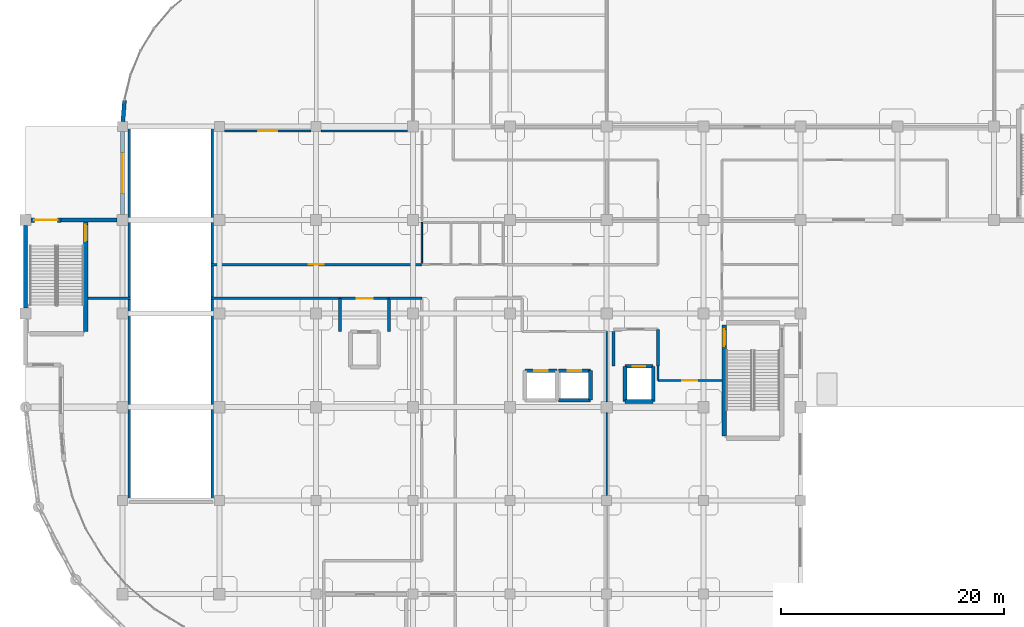
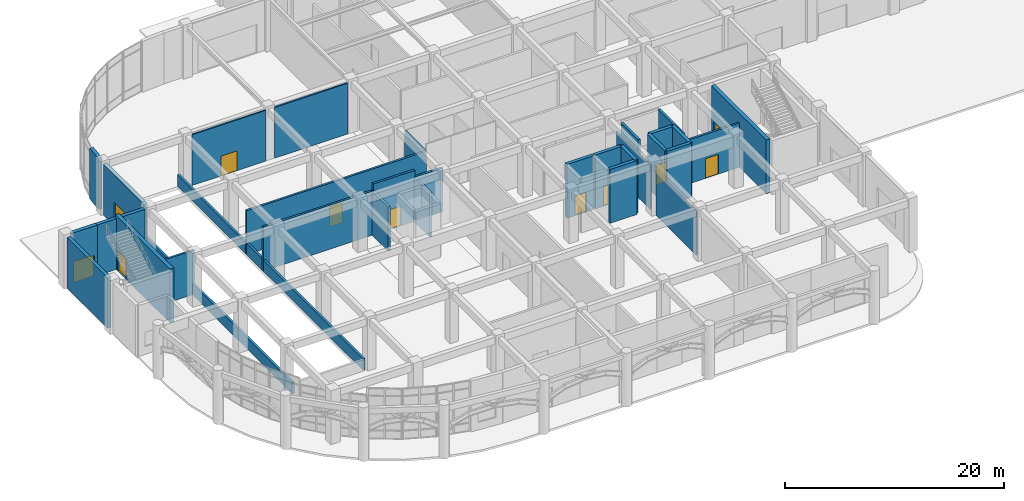
# One storey, part 61 of 82: 33 walls, 11 doors, 11 openings.
"""IFC4 building model written with IfcOpenShell, lengths in metres."""

from ifc_helpers import new_model, si_unit, derived_unit, direction, frame, frame_2d, origin, place, context, subcontext, project, spatial, rectangle, extrude, material, layer, layer_set, type_object, element, fill, save


model = new_model("IFC4")

# Units and contexts
model_context = context("Model", 3, precision=1e-05, world=origin(), true_north=direction((0.0, 1.0)))
body_context = subcontext(model_context, "Body", "Model", "MODEL_VIEW")
ifc_project = project(units=[si_unit("LENGTHUNIT", "METRE"), si_unit("AREAUNIT", "SQUARE_METRE"), si_unit("VOLUMEUNIT", "CUBIC_METRE"), si_unit("PLANEANGLEUNIT", "RADIAN"), si_unit("MASSUNIT", "GRAM", prefix="KILO"), derived_unit("THERMALTRANSMITTANCEUNIT", [(si_unit("MASSUNIT", "GRAM", prefix="KILO"), 1), (si_unit("TIMEUNIT", "SECOND"), -3), (si_unit("THERMODYNAMICTEMPERATUREUNIT", "KELVIN"), -1)])], contexts=[model_context])

# Site, building, storey
site_placement = place(None, origin())
site = spatial("IfcSite", under=ifc_project, at=site_placement, CompositionType="ELEMENT")
building_placement = place(site_placement, origin())
building = spatial("IfcBuilding", under=site, at=building_placement, Name="Qinzheling Arcade Emporium", CompositionType="ELEMENT")
storey_placement = place(building_placement, origin())
storey = spatial("IfcBuildingStorey", under=building, at=storey_placement, Name="L01", CompositionType="ELEMENT", Elevation=0.0)

# Wall, opening, door
ifc_material_1 = material(Name="Double-stud acoustic gypsum board partition")
ifc_layer_1 = layer(ifc_material_1, 0.215087890625, Name="Double-stud acoustic gypsum board partition")
ifc_layer_set_1 = layer_set([ifc_layer_1], Name="Double-stud acoustic gypsum board partition")
wall_type_1 = type_object("IfcWallType", Name="Acoustic Corridor Partition Wall 215", PredefinedType="PARTITIONING", material=ifc_layer_set_1)
wall_1_placement = place(storey_placement, frame((16.659912109375, 38.0, 0.0), z_axis=(0.0, 0.0, 1.0), x_axis=(1.0, 0.0, 0.0)))
wall_1 = element("IfcWall", 1, at=wall_1_placement, inside=storey, type_object=wall_type_1, Name="Interior Wall WL-L01-INT-0127", PredefinedType="PARTITIONING", context=body_context, shape_type="SweptSolid", body=[
    extrude(rectangle(XDim=18.940185546875, YDim=0.215087890625, at=frame_2d((9.47021484375, 0.0))), origin(), (0.0, 0.0, 1.0), 4.909912109375),
])
opening_1_placement = place(wall_1_placement, frame((8.794921875, 0.0, 0.0)))
opening_1 = element("IfcOpeningElement", 2, at=opening_1_placement, cuts=wall_1, Name="Opening FD05", PredefinedType="OPENING", context=body_context, shape_type="SweptSolid", body=[
    extrude(rectangle(XDim=1.35009765625, YDim=2.199951171875, at=frame_2d((0.675048828125, 1.10009765625))), frame((0.0, 0.11767578125, 0.0), z_axis=(0.0, -1.0, 0.0), x_axis=(1.0, 0.0, 0.0)), (0.0, 0.0, 1.0), 0.235107421875),
])
ifc_material_2 = material(Name="Class B fire-rated stainless-clad door")
door_type_1 = type_object("IfcDoorType", Name="Kitchen Fire-Rated Service Door 1350x2200", OperationType="NOTDEFINED", PredefinedType="DOOR", material=ifc_material_2)
door_1_placement = place(opening_1_placement, origin())
door_1 = element("IfcDoor", 3, at=door_1_placement, inside=storey, type_object=door_type_1, Name="FD05 Interior Door DR-L01-INT-0039", OperationType="SINGLE_SWING_RIGHT", OverallHeight=2.199951171875, OverallWidth=1.35009765625, PredefinedType="DOOR", context=body_context, shape_type="SweptSolid", body=[
    extrude(rectangle(XDim=1.35009765625, YDim=2.199951171875, at=frame_2d((0.675048828125, 1.10009765625))), frame((0.0, 0.02490234375, 0.0), z_axis=(0.0, -1.0, 0.0), x_axis=(1.0, 0.0, 0.0)), (0.0, 0.0, 1.0), 0.050048828125),
])
fill(opening_1, door_1)

# Walls
wall_2_placement = place(storey_placement, frame((28.25, 34.97998046875, 0.0), z_axis=(0.0, 0.0, 1.0), x_axis=(-1.0, 0.0, 0.0)))
element("IfcWall", 4, at=wall_2_placement, inside=storey, type_object=wall_type_1, Name="Interior Wall WL-L01-INT-0128", PredefinedType="PARTITIONING", context=body_context, shape_type="SweptSolid", body=[
    extrude(rectangle(XDim=11.590087890625, YDim=0.215087890625, at=frame_2d((5.794921875, 0.0))), origin(), (0.0, 0.0, 1.0), 4.909912109375),
])
wall_3_placement = place(storey_placement, frame((35.60009765625, 34.97998046875, 0.0), z_axis=(0.0, 0.0, 1.0), x_axis=(-1.0, 0.0, 0.0)))
element("IfcWall", 5, at=wall_3_placement, inside=storey, type_object=wall_type_1, Name="Interior Wall WL-L01-INT-0132", PredefinedType="PARTITIONING", context=body_context, shape_type="SweptSolid", body=[
    extrude(rectangle(XDim=2.9501953125, YDim=0.215087890625, at=frame_2d((1.47509765625, 0.0))), origin(), (0.0, 0.0, 1.0), 4.909912109375),
])

# Wall, opening, door
wall_4_placement = place(storey_placement, frame((62.544921875, 27.60009765625, 0.0), z_axis=(0.0, 0.0, 1.0), x_axis=(-1.0, 0.0, 0.0)))
wall_4 = element("IfcWall", 6, at=wall_4_placement, inside=storey, type_object=wall_type_1, Name="Interior Wall WL-L01-INT-0137", PredefinedType="PARTITIONING", context=body_context, shape_type="SweptSolid", body=[
    extrude(rectangle(XDim=5.744873046875, YDim=0.215087890625, at=frame_2d((2.87255859375, 0.0))), origin(), (0.0, 0.0, 1.0), 4.909912109375),
])
opening_2_placement = place(wall_4_placement, frame((2.197998046875, 0.0, 0.0)))
opening_2 = element("IfcOpeningElement", 7, at=opening_2_placement, cuts=wall_4, Name="Opening FD05", PredefinedType="OPENING", context=body_context, shape_type="SweptSolid", body=[
    extrude(rectangle(XDim=1.35009765625, YDim=2.199951171875, at=frame_2d((0.675048828125, 1.10009765625))), frame((0.0, 0.11767578125, 0.0), z_axis=(0.0, -1.0, 0.0), x_axis=(1.0, 0.0, 0.0)), (0.0, 0.0, 1.0), 0.235107421875),
])
door_2_placement = place(opening_2_placement, origin())
door_2 = element("IfcDoor", 8, at=door_2_placement, inside=storey, type_object=door_type_1, Name="FD05 Interior Door DR-L01-INT-0042", OperationType="SINGLE_SWING_LEFT", OverallHeight=2.199951171875, OverallWidth=1.35009765625, PredefinedType="DOOR", context=body_context, shape_type="SweptSolid", body=[
    extrude(rectangle(XDim=1.35009765625, YDim=2.199951171875, at=frame_2d((0.675048828125, 1.10009765625))), frame((0.0, 0.02490234375, 0.0), z_axis=(0.0, -1.0, 0.0), x_axis=(1.0, 0.0, 0.0)), (0.0, 0.0, 1.0), 0.050048828125),
])
fill(opening_2, door_2)

# Walls
wall_5_placement = place(storey_placement, frame((56.800048828125, 27.60009765625, 0.0), z_axis=(0.0, 0.0, 1.0), x_axis=(0.0, 1.0, 0.0)))
element("IfcWall", 9, at=wall_5_placement, inside=storey, type_object=wall_type_1, Name="Interior Wall WL-L01-INT-0138", PredefinedType="PARTITIONING", context=body_context, shape_type="SweptSolid", body=[
    extrude(rectangle(XDim=1.27978515625, YDim=0.215087890625, at=frame_2d((0.639892578125, 0.0))), origin(), (0.0, 0.0, 1.0), 5.659912109375),
])
wall_6_placement = place(storey_placement, frame((9.43994140625, 34.97998046875, 0.0), z_axis=(0.0, 0.0, 1.0), x_axis=(-1.0, 0.0, 0.0)))
element("IfcWall", 10, at=wall_6_placement, inside=storey, type_object=wall_type_1, Name="Interior Wall WL-L01-INT-0218", PredefinedType="PARTITIONING", context=body_context, shape_type="SweptSolid", body=[
    extrude(rectangle(XDim=3.844970703125, YDim=0.215087890625, at=frame_2d((1.92236328125, 0.0))), origin(), (0.0, 0.0, 1.0), 4.909912109375),
])
ifc_material_3 = material(Name="Lightweight atelier partition")
ifc_layer_2 = layer(ifc_material_3, 0.14990234375, Name="Lightweight atelier partition")
ifc_layer_set_2 = layer_set([ifc_layer_2], Name="Lightweight atelier partition")
wall_type_2 = type_object("IfcWallType", Name="Atelier Partition Wall 150", PredefinedType="PARTITIONING", material=ifc_layer_set_2)
wall_7_placement = place(storey_placement, frame((34.2900390625, 50.0, 0.0), z_axis=(0.0, 0.0, 1.0), x_axis=(-1.0, 0.0, 0.0)))
element("IfcWall", 11, at=wall_7_placement, inside=storey, type_object=wall_type_2, Name="Interior Wall WL-L01-INT-0112", PredefinedType="PARTITIONING", context=body_context, shape_type="SweptSolid", body=[
    extrude(rectangle(XDim=7.72998046875, YDim=0.14990234375, at=frame_2d((3.864990234375, 0.0))), origin(), (0.0, 0.0, 1.0), 5.659912109375),
])

# Wall, opening, door
wall_8_placement = place(storey_placement, frame((25.639892578125, 50.0, 0.0), z_axis=(0.0, 0.0, 1.0), x_axis=(-1.0, 0.0, 0.0)))
wall_8 = element("IfcWall", 12, at=wall_8_placement, inside=storey, type_object=wall_type_2, Name="Interior Wall WL-L01-INT-0113", PredefinedType="PARTITIONING", context=body_context, shape_type="SweptSolid", body=[
    extrude(rectangle(XDim=7.77978515625, YDim=0.14990234375, at=frame_2d((3.889892578125, 0.0))), origin(), (0.0, 0.0, 1.0), 5.659912109375),
])
opening_3_placement = place(wall_8_placement, frame((3.0400390625, 0.0, 0.0)))
opening_3 = element("IfcOpeningElement", 13, at=opening_3_placement, cuts=wall_8, Name="Opening D14", PredefinedType="OPENING", context=body_context, shape_type="SweptSolid", body=[
    extrude(rectangle(XDim=1.699951171875, YDim=2.199951171875, at=frame_2d((0.85009765625, 1.10009765625))), frame((0.0, 0.0849609375, 0.0), z_axis=(0.0, -1.0, 0.0), x_axis=(1.0, 0.0, 0.0)), (0.0, 0.0, 1.0), 0.169921875),
])
ifc_material_4 = material(Name="Powder-coated steel utility door", Category="steel")
door_type_2 = type_object("IfcDoorType", Name="Bicycle Store Double Door 1700x2200", OperationType="DOUBLE_DOOR_SINGLE_SWING", PredefinedType="DOOR", material=ifc_material_4)
door_3_placement = place(opening_3_placement, origin())
door_3 = element("IfcDoor", 14, at=door_3_placement, inside=storey, type_object=door_type_2, Name="D14 Interior Door DR-L01-INT-0075", OperationType="DOUBLE_DOOR_SINGLE_SWING", OverallHeight=2.199951171875, OverallWidth=1.699951171875, PredefinedType="DOOR", context=body_context, shape_type="SweptSolid", body=[
    extrude(rectangle(XDim=1.699951171875, YDim=2.199951171875, at=frame_2d((0.85009765625, 1.10009765625))), frame((0.0, 0.02490234375, 0.0), z_axis=(0.0, -1.0, 0.0), x_axis=(1.0, 0.0, 0.0)), (0.0, 0.0, 1.0), 0.050048828125),
])
fill(opening_3, door_3)

# Walls
ifc_material_5 = material(Name="Fire-rated double-stud gypsum and mineral wool wall")
ifc_layer_3 = layer(ifc_material_5, 0.2451171875, Name="Fire-rated double-stud gypsum and mineral wool wall")
ifc_layer_set_3 = layer_set([ifc_layer_3], Name="Fire-rated double-stud gypsum and mineral wool wall")
wall_type_3 = type_object("IfcWallType", Name="Firefighting Lobby Rated Wall 245", PredefinedType="STANDARD", material=ifc_layer_set_3)
wall_9_placement = place(storey_placement, frame((56.800048828125, 32.199951171875, 0.0), z_axis=(0.0, 0.0, 1.0), x_axis=(0.0, -1.0, 0.0)))
element("IfcWall", 15, at=wall_9_placement, inside=storey, type_object=wall_type_3, Name="Interior Wall WL-L01-INT-0087", PredefinedType="STANDARD", context=body_context, shape_type="SweptSolid", body=[
    extrude(rectangle(XDim=3.320068359375, YDim=0.2451171875, at=frame_2d((1.66015625, 0.0))), origin(), (0.0, 0.0, 1.0), 5.659912109375),
])
wall_10_placement = place(storey_placement, frame((52.800048828125, 28.8798828125, 0.0), z_axis=(0.0, 0.0, 1.0), x_axis=(0.0, 1.0, 0.0)))
element("IfcWall", 16, at=wall_10_placement, inside=storey, type_object=wall_type_3, Name="Interior Wall WL-L01-INT-0088", PredefinedType="STANDARD", context=body_context, shape_type="SweptSolid", body=[
    extrude(rectangle(XDim=3.1201171875, YDim=0.2451171875, at=frame_2d((1.56005859375, 0.0))), origin(), (0.0, 0.0, 1.0), 5.659912109375),
])

# Wall, opening, door
wall_11_placement = place(storey_placement, frame((28.25, 34.97998046875, 0.0), z_axis=(0.0, 0.0, 1.0), x_axis=(1.0, 0.0, 0.0)))
wall_11 = element("IfcWall", 17, at=wall_11_placement, inside=storey, type_object=wall_type_3, Name="Interior Wall WL-L01-INT-0089", PredefinedType="STANDARD", context=body_context, shape_type="SweptSolid", body=[
    extrude(rectangle(XDim=4.39990234375, YDim=0.2451171875, at=frame_2d((2.199951171875, 0.0))), origin(), (0.0, 0.0, 1.0), 5.659912109375),
])
opening_4_placement = place(wall_11_placement, frame((1.47509765625, 0.0, 0.0)))
opening_4 = element("IfcOpeningElement", 18, at=opening_4_placement, cuts=wall_11, Name="Opening FD02", PredefinedType="OPENING", context=body_context, shape_type="SweptSolid", body=[
    extrude(rectangle(XDim=1.449951171875, YDim=2.199951171875, at=frame_2d((0.72509765625, 1.10009765625))), frame((0.0, 0.132568359375, 0.0), z_axis=(0.0, -1.0, 0.0), x_axis=(1.0, 0.0, 0.0)), (0.0, 0.0, 1.0), 0.26513671875),
])
ifc_material_6 = material(Name="Class A fire-rated steel double door", Category="steel")
door_type_3 = type_object("IfcDoorType", Name="Firefighting Lobby Fire Door 1450x2200", OperationType="DOUBLE_DOOR_SINGLE_SWING", PredefinedType="DOOR", material=ifc_material_6)
door_4_placement = place(opening_4_placement, origin())
door_4 = element("IfcDoor", 19, at=door_4_placement, inside=storey, type_object=door_type_3, Name="FD02 Interior Door DR-L01-INT-0026", OperationType="DOUBLE_DOOR_SINGLE_SWING", OverallHeight=2.199951171875, OverallWidth=1.449951171875, PredefinedType="DOOR", context=body_context, shape_type="SweptSolid", body=[
    extrude(rectangle(XDim=1.449951171875, YDim=2.199951171875, at=frame_2d((0.72509765625, 1.10009765625))), frame((0.0, 0.02490234375, 0.0), z_axis=(0.0, -1.0, 0.0), x_axis=(1.0, 0.0, 0.0)), (0.0, 0.0, 1.0), 0.050048828125),
])
fill(opening_4, door_4)

# Walls
for number, where, z_axis, x_axis, name in (
    (20, (28.25, 31.97998046875, 0.0), (0.0, 0.0, 1.0), (0.0, 1.0, 0.0), "Interior Wall WL-L01-INT-0090"),
    (21, (32.64990234375, 34.97998046875, 0.0), (0.0, 0.0, 1.0), (0.0, -1.0, 0.0), "Interior Wall WL-L01-INT-0091"),
):
    element("IfcWall", number, at=place(storey_placement, frame(where, z_axis=z_axis, x_axis=x_axis)), inside=storey, type_object=wall_type_3, Name=name, PredefinedType="STANDARD", context=body_context, shape_type="SweptSolid", body=[
        extrude(rectangle(XDim=3.0, YDim=0.2451171875, at=frame_2d((1.5, 0.0))), origin(), (0.0, 0.0, 1.0), 4.909912109375),
    ])

# Wall, opening, door
ifc_material_7 = material(Name="Glazed cream terracotta on Concrete C40", Category="masonry")
ifc_layer_4 = layer(ifc_material_7, 0.3798828125, Name="Glazed cream terracotta on Concrete C40", Category="masonry")
ifc_layer_set_4 = layer_set([ifc_layer_4], Name="Glazed cream terracotta on Concrete C40")
wall_type_4 = type_object("IfcWallType", Name="Glazed Cream Terracotta Structural Wall 380", PredefinedType="STANDARD", material=ifc_layer_set_4)
wall_12_placement = place(storey_placement, frame((0.501953125, 42.0, 0.0), z_axis=(0.0, 0.0, 1.0), x_axis=(1.0, 0.0, 0.0)))
wall_12 = element("IfcWall", 22, at=wall_12_placement, inside=storey, type_object=wall_type_4, Name="Exterior Wall WL-L01-EW-0040", PredefinedType="STANDARD", context=body_context, shape_type="SweptSolid", body=[
    extrude(rectangle(XDim=2.697998046875, YDim=0.3798828125, at=frame_2d((1.34912109375, 0.0))), origin(), (0.0, 0.0, 1.0), 5.659912109375),
])
opening_5_placement = place(wall_12_placement, frame((0.2880859375, 0.0, 0.0)))
opening_5 = element("IfcOpeningElement", 23, at=opening_5_placement, cuts=wall_12, Name="Opening ED03", PredefinedType="OPENING", context=body_context, shape_type="SweptSolid", body=[
    extrude(rectangle(XDim=2.10009765625, YDim=2.35009765625, at=frame_2d((1.050048828125, 1.175048828125))), frame((0.0, 0.199951171875, 0.0), z_axis=(0.0, -1.0, 0.0), x_axis=(1.0, 0.0, 0.0)), (0.0, 0.0, 1.0), 0.39990234375),
])
ifc_material_8 = material(Name="Fire-rated steel panic exit door", Category="steel")
door_type_4 = type_object("IfcDoorType", Name="Stairwell Double Escape Door 2100x2350", OperationType="DOUBLE_DOOR_SINGLE_SWING", PredefinedType="USERDEFINED", material=ifc_material_8)
door_5_placement = place(opening_5_placement, origin())
door_5 = element("IfcDoor", 24, at=door_5_placement, inside=storey, type_object=door_type_4, Name="ED03 Exterior Door DR-L01-EXT-019", ObjectType="ESCAPE_DOOR", OperationType="DOUBLE_DOOR_SINGLE_SWING", OverallHeight=2.35009765625, OverallWidth=2.10009765625, PredefinedType="USERDEFINED", context=body_context, shape_type="SweptSolid", body=[
    extrude(rectangle(XDim=2.10009765625, YDim=2.35009765625, at=frame_2d((1.050048828125, 1.175048828125))), frame((0.0, 0.02490234375, 0.0), z_axis=(0.0, -1.0, 0.0), x_axis=(1.0, 0.0, 0.0)), (0.0, 0.0, 1.0), 0.050048828125),
])
fill(opening_5, door_5)

wall_13_placement = place(storey_placement, frame((8.699951171875, 42.501953125, 0.0), z_axis=(0.0, 0.0, 1.0), x_axis=(0.0, 1.0, 0.0)))
wall_13 = element("IfcWall", 25, at=wall_13_placement, inside=storey, type_object=wall_type_4, Name="Exterior Wall WL-L01-EW-0042", PredefinedType="STANDARD", context=body_context, shape_type="SweptSolid", body=[
    extrude(rectangle(XDim=7.446044921875, YDim=0.3798828125, at=frame_2d((3.72314453125, 0.0))), origin(), (0.0, 0.0, 1.0), 5.659912109375),
])
opening_6_placement = place(wall_13_placement, frame((1.923095703125, 0.0, 0.0)))
opening_6 = element("IfcOpeningElement", 26, at=opening_6_placement, cuts=wall_13, Name="Opening DG03", PredefinedType="OPENING", context=body_context, shape_type="SweptSolid", body=[
    extrude(rectangle(XDim=3.60009765625, YDim=2.60009765625, at=frame_2d((1.800048828125, 1.300048828125))), frame((0.0, 0.199951171875, 0.0), z_axis=(0.0, -1.0, 0.0), x_axis=(1.0, 0.0, 0.0)), (0.0, 0.0, 1.0), 0.39990234375),
])
ifc_material_9 = material(Name="Galvanised steel car park roller shutter", Category="steel")
door_type_5 = type_object("IfcDoorType", Name="Car Park Vehicle Entrance Roller Shutter 3600x2600", OperationType="ROLLINGUP", PredefinedType="GATE", material=ifc_material_9)
door_6_placement = place(opening_6_placement, origin())
door_6 = element("IfcDoor", 27, at=door_6_placement, inside=storey, type_object=door_type_5, Name="DG03 Exterior Door DR-L01-EXT-020", OperationType="ROLLINGUP", OverallHeight=2.60009765625, OverallWidth=3.60009765625, PredefinedType="GATE", context=body_context, shape_type="SweptSolid", body=[
    extrude(rectangle(XDim=3.60009765625, YDim=2.60009765625, at=frame_2d((1.800048828125, 1.300048828125))), frame((0.0, 0.02490234375, 0.0), z_axis=(0.0, -1.0, 0.0), x_axis=(1.0, 0.0, 0.0)), (0.0, 0.0, 1.0), 0.050048828125),
])
fill(opening_6, door_6)

# Walls
ifc_layer_5 = layer(ifc_material_7, 0.360107421875, Name="Glazed cream terracotta on Concrete C40", Category="masonry")
ifc_layer_set_5 = layer_set([ifc_layer_5], Name="Glazed cream terracotta on Concrete C40")
wall_type_5 = type_object("IfcWallType", Name="Glazed Terracotta Pier Wall 360", PredefinedType="STANDARD", material=ifc_layer_set_5)
wall_14_placement = place(storey_placement, frame((0.0, 34.10205078125, 0.0), z_axis=(0.0, 0.0, 1.0), x_axis=(0.0, 1.0, 0.0)))
element("IfcWall", 28, at=wall_14_placement, inside=storey, type_object=wall_type_5, Name="Exterior Wall WL-L01-EW-0039", PredefinedType="STANDARD", context=body_context, shape_type="SweptSolid", body=[
    extrude(rectangle(XDim=7.39599609375, YDim=0.360107421875, at=frame_2d((3.697998046875, 0.0))), origin(), (0.0, 0.0, 1.0), 5.659912109375),
])
wall_15_placement = place(storey_placement, frame((3.199951171875, 42.0, 0.0), z_axis=(0.0, 0.0, 1.0), x_axis=(1.0, 0.0, 0.0)))
element("IfcWall", 29, at=wall_15_placement, inside=storey, type_object=wall_type_5, Name="Exterior Wall WL-L01-EW-0041", PredefinedType="STANDARD", context=body_context, shape_type="SweptSolid", body=[
    extrude(rectangle(XDim=4.998046875, YDim=0.360107421875, at=frame_2d((2.4990234375, 0.0))), origin(), (0.0, 0.0, 1.0), 5.659912109375),
])
wall_16_placement = place(storey_placement, frame((8.736083984375, 50.85107421875, 0.0), z_axis=(0.0, 0.0, 1.0), x_axis=(0.078306322526, 0.996929345467, 0.0)))
element("IfcWall", 30, at=wall_16_placement, inside=storey, type_object=wall_type_5, Name="Exterior Wall WL-L01-EW-0043", PredefinedType="STANDARD", context=body_context, shape_type="SweptSolid", body=[
    extrude(rectangle(XDim=1.90185546875, YDim=0.360107421875, at=frame_2d((0.950927734375, 0.0))), origin(), (0.0, 0.0, 1.0), 5.659912109375),
])
ifc_material_10 = material(Name="Lightweight gypsum studio partition")
ifc_layer_6 = layer(ifc_material_10, 0.125, Name="Lightweight gypsum studio partition")
ifc_layer_set_6 = layer_set([ifc_layer_6], Name="Lightweight gypsum studio partition")
wall_type_6 = type_object("IfcWallType", Name="Merchandising Studio Partition Wall 125", PredefinedType="PARTITIONING", material=ifc_layer_set_6)
wall_17_placement = place(storey_placement, frame((52.199951171875, 32.0, 0.0), z_axis=(0.0, 0.0, 1.0), x_axis=(0.0, -1.0, 0.0)))
element("IfcWall", 31, at=wall_17_placement, inside=storey, type_object=wall_type_6, Name="Interior Wall WL-L01-INT-0220", PredefinedType="PARTITIONING", context=body_context, shape_type="SweptSolid", body=[
    extrude(rectangle(XDim=6.2900390625, YDim=0.125, at=frame_2d((3.14501953125, 0.0))), origin(), (0.0, 0.0, 1.0), 4.909912109375),
])
wall_18_placement = place(storey_placement, frame((52.199951171875, 24.68994140625, 0.0), z_axis=(0.0, 0.0, 1.0), x_axis=(0.0, -1.0, 0.0)))
element("IfcWall", 32, at=wall_18_placement, inside=storey, type_object=wall_type_6, Name="Interior Wall WL-L01-INT-0221", PredefinedType="PARTITIONING", context=body_context, shape_type="SweptSolid", body=[
    extrude(rectangle(XDim=7.429931640625, YDim=0.125, at=frame_2d((3.71484375, 0.0))), origin(), (0.0, 0.0, 1.0), 4.909912109375),
])

# Wall, opening, door
ifc_material_11 = material(Name="Concrete C40", Category="concrete")
ifc_layer_7 = layer(ifc_material_11, 0.35009765625, Name="Concrete C40", Category="concrete")
ifc_layer_set_7 = layer_set([ifc_layer_7], Name="Concrete C40")
wall_type_7 = type_object("IfcWallType", Name="RC Lift Shaft Shear Wall 350 C40", PredefinedType="SHEAR", material=ifc_layer_set_7)
wall_19_placement = place(storey_placement, frame((53.824951171875, 28.875, 0.0), z_axis=(0.0, 0.0, 1.0), x_axis=(1.0, 0.0, 0.0)))
wall_19 = element("IfcWall", 33, at=wall_19_placement, inside=storey, type_object=wall_type_7, Name="Lift Shaft Wall WL-L01-LFT-LF01-N", PredefinedType="SHEAR", context=body_context, shape_type="SweptSolid", body=[
    extrude(rectangle(XDim=2.550048828125, YDim=0.35009765625, at=frame_2d((1.27490234375, 0.0))), origin(), (0.0, 0.0, 1.0), 6.0),
])
opening_7_placement = place(wall_19_placement, frame((0.72509765625, 0.0, 0.0)))
opening_7 = element("IfcOpeningElement", 34, at=opening_7_placement, cuts=wall_19, Name="Opening LD01", PredefinedType="OPENING", context=body_context, shape_type="SweptSolid", body=[
    extrude(rectangle(XDim=1.10009765625, YDim=2.199951171875, at=frame_2d((0.550048828125, 1.10009765625))), frame((0.0, 0.18505859375, 0.0), z_axis=(0.0, -1.0, 0.0), x_axis=(1.0, 0.0, 0.0)), (0.0, 0.0, 1.0), 0.3701171875),
])
ifc_material_12 = material(Name="Fire-rated stainless steel sliding lift door", Category="steel")
door_type_6 = type_object("IfcDoorType", Name="Firefighting Lift Sliding Landing Door 1100x2200", OperationType="DOUBLE_DOOR_SLIDING", PredefinedType="DOOR", material=ifc_material_12)
door_7_placement = place(opening_7_placement, origin())
door_7 = element("IfcDoor", 35, at=door_7_placement, inside=storey, type_object=door_type_6, Name="LD01 Lift Landing Door LF01 L01", OperationType="DOUBLE_DOOR_SLIDING", OverallHeight=2.199951171875, OverallWidth=1.10009765625, PredefinedType="DOOR", context=body_context, shape_type="SweptSolid", body=[
    extrude(rectangle(XDim=1.10009765625, YDim=2.199951171875, at=frame_2d((0.550048828125, 1.10009765625))), frame((0.0, 0.02490234375, 0.0), z_axis=(0.0, -1.0, 0.0), x_axis=(1.0, 0.0, 0.0)), (0.0, 0.0, 1.0), 0.050048828125),
])
fill(opening_7, door_7)

# Walls
wall_20_placement = place(storey_placement, frame((56.375, 25.72509765625, 0.0), z_axis=(0.0, 0.0, 1.0), x_axis=(-1.0, 0.0, 0.0)))
element("IfcWall", 36, at=wall_20_placement, inside=storey, type_object=wall_type_7, Name="Lift Shaft Wall WL-L01-LFT-LF01-S", PredefinedType="SHEAR", context=body_context, shape_type="SweptSolid", body=[
    extrude(rectangle(XDim=2.550048828125, YDim=0.35009765625, at=frame_2d((1.27490234375, 0.0))), origin(), (0.0, 0.0, 1.0), 6.0),
])
for number, where, z_axis, x_axis, name in (
    (37, (53.824951171875, 25.72509765625, 0.0), (0.0, 0.0, 1.0), (0.0, 1.0, 0.0), "Lift Shaft Wall WL-L01-LFT-LF01-W"),
    (38, (56.375, 28.875, 0.0), (0.0, 0.0, 1.0), (0.0, -1.0, 0.0), "Lift Shaft Wall WL-L01-LFT-LF01-E"),
):
    element("IfcWall", number, at=place(storey_placement, frame(where, z_axis=z_axis, x_axis=x_axis)), inside=storey, type_object=wall_type_7, Name=name, PredefinedType="SHEAR", context=body_context, shape_type="SweptSolid", body=[
        extrude(rectangle(XDim=3.14990234375, YDim=0.35009765625, at=frame_2d((1.574951171875, 0.0))), origin(), (0.0, 0.0, 1.0), 6.0),
    ])

# Wall, opening, door
wall_21_placement = place(storey_placement, frame((44.875, 28.47509765625, 0.0), z_axis=(0.0, 0.0, 1.0), x_axis=(1.0, 0.0, 0.0)))
wall_21 = element("IfcWall", 39, at=wall_21_placement, inside=storey, type_object=wall_type_7, Name="Lift Shaft Wall WL-L01-LFT-LP01-N", PredefinedType="SHEAR", context=body_context, shape_type="SweptSolid", body=[
    extrude(rectangle(XDim=2.85009765625, YDim=0.35009765625, at=frame_2d((1.425048828125, 0.0))), origin(), (0.0, 0.0, 1.0), 6.0),
])
opening_8_placement = place(wall_21_placement, frame((0.824951171875, 0.0, 0.0)))
opening_8 = element("IfcOpeningElement", 40, at=opening_8_placement, cuts=wall_21, Name="Opening LD02", PredefinedType="OPENING", context=body_context, shape_type="SweptSolid", body=[
    extrude(rectangle(XDim=1.199951171875, YDim=2.199951171875, at=frame_2d((0.60009765625, 1.10009765625))), frame((0.0, 0.18505859375, 0.0), z_axis=(0.0, -1.0, 0.0), x_axis=(1.0, 0.0, 0.0)), (0.0, 0.0, 1.0), 0.3701171875),
])
ifc_material_13 = material(Name="Brushed bronze stainless sliding lift door")
door_type_7 = type_object("IfcDoorType", Name="Passenger Lift Sliding Landing Door 1200x2200", OperationType="DOUBLE_DOOR_SLIDING", PredefinedType="DOOR", material=ifc_material_13)
door_8_placement = place(opening_8_placement, origin())
door_8 = element("IfcDoor", 41, at=door_8_placement, inside=storey, type_object=door_type_7, Name="LD02 Lift Landing Door LP01 L01", OperationType="DOUBLE_DOOR_SLIDING", OverallHeight=2.199951171875, OverallWidth=1.199951171875, PredefinedType="DOOR", context=body_context, shape_type="SweptSolid", body=[
    extrude(rectangle(XDim=1.199951171875, YDim=2.199951171875, at=frame_2d((0.60009765625, 1.10009765625))), frame((0.0, 0.02490234375, 0.0), z_axis=(0.0, -1.0, 0.0), x_axis=(1.0, 0.0, 0.0)), (0.0, 0.0, 1.0), 0.050048828125),
])
fill(opening_8, door_8)

wall_22_placement = place(storey_placement, frame((47.875, 28.47509765625, 0.0), z_axis=(0.0, 0.0, 1.0), x_axis=(1.0, 0.0, 0.0)))
wall_22 = element("IfcWall", 42, at=wall_22_placement, inside=storey, type_object=wall_type_7, Name="Lift Shaft Wall WL-L01-LFT-LP02-N", PredefinedType="SHEAR", context=body_context, shape_type="SweptSolid", body=[
    extrude(rectangle(XDim=2.85009765625, YDim=0.35009765625, at=frame_2d((1.425048828125, 0.0))), origin(), (0.0, 0.0, 1.0), 6.0),
])
opening_9_placement = place(wall_22_placement, frame((0.824951171875, 0.0, 0.0)))
opening_9 = element("IfcOpeningElement", 43, at=opening_9_placement, cuts=wall_22, Name="Opening LD02", PredefinedType="OPENING", context=body_context, shape_type="SweptSolid", body=[
    extrude(rectangle(XDim=1.199951171875, YDim=2.199951171875, at=frame_2d((0.60009765625, 1.10009765625))), frame((0.0, 0.18505859375, 0.0), z_axis=(0.0, -1.0, 0.0), x_axis=(1.0, 0.0, 0.0)), (0.0, 0.0, 1.0), 0.3701171875),
])
door_9_placement = place(opening_9_placement, origin())
door_9 = element("IfcDoor", 44, at=door_9_placement, inside=storey, type_object=door_type_7, Name="LD02 Lift Landing Door LP02 L01", OperationType="DOUBLE_DOOR_SLIDING", OverallHeight=2.199951171875, OverallWidth=1.199951171875, PredefinedType="DOOR", context=body_context, shape_type="SweptSolid", body=[
    extrude(rectangle(XDim=1.199951171875, YDim=2.199951171875, at=frame_2d((0.60009765625, 1.10009765625))), frame((0.0, 0.02490234375, 0.0), z_axis=(0.0, -1.0, 0.0), x_axis=(1.0, 0.0, 0.0)), (0.0, 0.0, 1.0), 0.050048828125),
])
fill(opening_9, door_9)

# Walls
wall_23_placement = place(storey_placement, frame((50.72509765625, 25.824951171875, 0.0), z_axis=(0.0, 0.0, 1.0), x_axis=(-1.0, 0.0, 0.0)))
element("IfcWall", 45, at=wall_23_placement, inside=storey, type_object=wall_type_7, Name="Lift Shaft Wall WL-L01-LFT-LP02-S", PredefinedType="SHEAR", context=body_context, shape_type="SweptSolid", body=[
    extrude(rectangle(XDim=2.85009765625, YDim=0.35009765625, at=frame_2d((1.425048828125, 0.0))), origin(), (0.0, 0.0, 1.0), 6.0),
])
wall_24_placement = place(storey_placement, frame((50.72509765625, 28.47509765625, 0.0), z_axis=(0.0, 0.0, 1.0), x_axis=(0.0, -1.0, 0.0)))
element("IfcWall", 46, at=wall_24_placement, inside=storey, type_object=wall_type_7, Name="Lift Shaft Wall WL-L01-LFT-LP02-E", PredefinedType="SHEAR", context=body_context, shape_type="SweptSolid", body=[
    extrude(rectangle(XDim=2.650146484375, YDim=0.35009765625, at=frame_2d((1.3251953125, 0.0))), origin(), (0.0, 0.0, 1.0), 6.0),
])

# Wall, opening, door
ifc_material_14 = material(Name="Concrete C50", Category="concrete")
ifc_layer_8 = layer(ifc_material_14, 0.39990234375, Name="Concrete C50", Category="concrete")
ifc_layer_set_8 = layer_set([ifc_layer_8], Name="Concrete C50")
wall_type_8 = type_object("IfcWallType", Name="RC Stair Core Shear Wall 400 C50", PredefinedType="SHEAR", material=ifc_layer_set_8)
wall_25_placement = place(storey_placement, frame((62.75, 22.60009765625, 0.0), z_axis=(0.0, 0.0, 1.0), x_axis=(0.0, 1.0, 0.0)))
wall_25 = element("IfcWall", 47, at=wall_25_placement, inside=storey, type_object=wall_type_8, Name="Stair Core Wall WL-L01-ST01-WEST", PredefinedType="SHEAR", context=body_context, shape_type="SweptSolid", body=[
    extrude(rectangle(XDim=10.0, YDim=0.39990234375, at=frame_2d((5.0, 0.0))), origin(), (0.0, 0.0, 1.0), 6.0),
])
opening_10_placement = place(wall_25_placement, frame((8.090087890625, 0.0, 0.0)))
opening_10 = element("IfcOpeningElement", 48, at=opening_10_placement, cuts=wall_25, Name="Opening FD01", PredefinedType="OPENING", context=body_context, shape_type="SweptSolid", body=[
    extrude(rectangle(XDim=1.5, YDim=2.199951171875, at=frame_2d((0.75, 1.10009765625))), frame((0.0, 0.2099609375, 0.0), z_axis=(0.0, -1.0, 0.0), x_axis=(1.0, 0.0, 0.0)), (0.0, 0.0, 1.0), 0.419921875),
])
door_type_8 = type_object("IfcDoorType", Name="Stairwell Smoke-Proof Fire Door 1500x2200", OperationType="DOUBLE_DOOR_SINGLE_SWING", PredefinedType="DOOR", material=ifc_material_6)
door_10_placement = place(opening_10_placement, origin())
door_10 = element("IfcDoor", 49, at=door_10_placement, inside=storey, type_object=door_type_8, Name="FD01 Stairwell Fire Door DR-L01-ST01-FD", OperationType="DOUBLE_DOOR_SINGLE_SWING", OverallHeight=2.199951171875, OverallWidth=1.5, PredefinedType="DOOR", context=body_context, shape_type="SweptSolid", body=[
    extrude(rectangle(XDim=1.5, YDim=2.199951171875, at=frame_2d((0.75, 1.10009765625))), frame((0.0, 0.02490234375, 0.0), z_axis=(0.0, -1.0, 0.0), x_axis=(1.0, 0.0, 0.0)), (0.0, 0.0, 1.0), 0.050048828125),
])
fill(opening_10, door_10)

wall_26_placement = place(storey_placement, frame((5.389892578125, 42.0, 0.0), z_axis=(0.0, 0.0, 1.0), x_axis=(0.0, -1.0, 0.0)))
wall_26 = element("IfcWall", 50, at=wall_26_placement, inside=storey, type_object=wall_type_8, Name="Stair Core Wall WL-L01-ST02-EAST", PredefinedType="SHEAR", context=body_context, shape_type="SweptSolid", body=[
    extrude(rectangle(XDim=10.0, YDim=0.39990234375, at=frame_2d((5.0, 0.0))), origin(), (0.0, 0.0, 1.0), 6.0),
])
opening_11_placement = place(wall_26_placement, frame((0.409912109375, 0.0, 0.0)))
opening_11 = element("IfcOpeningElement", 51, at=opening_11_placement, cuts=wall_26, Name="Opening FD01", PredefinedType="OPENING", context=body_context, shape_type="SweptSolid", body=[
    extrude(rectangle(XDim=1.5, YDim=2.199951171875, at=frame_2d((0.75, 1.10009765625))), frame((0.0, 0.2099609375, 0.0), z_axis=(0.0, -1.0, 0.0), x_axis=(1.0, 0.0, 0.0)), (0.0, 0.0, 1.0), 0.419921875),
])
door_11_placement = place(opening_11_placement, origin())
door_11 = element("IfcDoor", 52, at=door_11_placement, inside=storey, type_object=door_type_8, Name="FD01 Stairwell Fire Door DR-L01-ST02-FD", OperationType="DOUBLE_DOOR_SINGLE_SWING", OverallHeight=2.199951171875, OverallWidth=1.5, PredefinedType="DOOR", context=body_context, shape_type="SweptSolid", body=[
    extrude(rectangle(XDim=1.5, YDim=2.199951171875, at=frame_2d((0.75, 1.10009765625))), frame((0.0, 0.02490234375, 0.0), z_axis=(0.0, -1.0, 0.0), x_axis=(1.0, 0.0, 0.0)), (0.0, 0.0, 1.0), 0.050048828125),
])
fill(opening_11, door_11)

# Walls
ifc_layer_9 = layer(ifc_material_11, 0.235107421875, Name="Concrete C40", Category="concrete")
ifc_layer_set_9 = layer_set([ifc_layer_9], Name="Concrete C40")
wall_type_9 = type_object("IfcWallType", Name="Ramp Opening Protective Curb Wall 235", PredefinedType="PARTITIONING", material=ifc_layer_set_9)
for number, where, z_axis, x_axis, name in (
    (53, (9.320068359375, 16.679931640625, 0.0), (0.0, 0.0, 1.0), (0.0, 1.0, 0.0), "Ramp Void Protective Wall WL-L01-RMPCURB-RAMP-VR1-W"),
    (54, (16.780029296875, 16.679931640625, 0.0), (0.0, 0.0, 1.0), (0.0, 1.0, 0.0), "Ramp Void Protective Wall WL-L01-RMPCURB-RAMP-VR1-E"),
):
    element("IfcWall", number, at=place(storey_placement, frame(where, z_axis=z_axis, x_axis=x_axis)), inside=storey, type_object=wall_type_9, Name=name, PredefinedType="PARTITIONING", context=body_context, shape_type="SweptSolid", body=[
        extrude(rectangle(XDim=33.88818359375, YDim=0.235107421875, at=frame_2d((16.944091796875, 0.0))), origin(), (0.0, 0.0, 1.0), 1.25),
    ])
ifc_material_15 = material(Name="Moisture-resistant cement-board WC partition")
ifc_layer_10 = layer(ifc_material_15, 0.14501953125, Name="Moisture-resistant cement-board WC partition")
ifc_layer_set_10 = layer_set([ifc_layer_10], Name="Moisture-resistant cement-board WC partition")
wall_type_10 = type_object("IfcWallType", Name="Washroom Moisture Partition Wall 145", PredefinedType="PARTITIONING", material=ifc_layer_set_10)
wall_27_placement = place(storey_placement, frame((35.60009765625, 38.0, 0.0), z_axis=(0.0, 0.0, 1.0), x_axis=(0.0, 1.0, 0.0)))
element("IfcWall", 55, at=wall_27_placement, inside=storey, type_object=wall_type_10, Name="Interior Wall WL-L01-INT-0117", PredefinedType="PARTITIONING", context=body_context, shape_type="SweptSolid", body=[
    extrude(rectangle(XDim=3.800048828125, YDim=0.14501953125, at=frame_2d((1.89990234375, 0.0))), origin(), (0.0, 0.0, 1.0), 4.909912109375),
])

save(model, "model.ifc")
